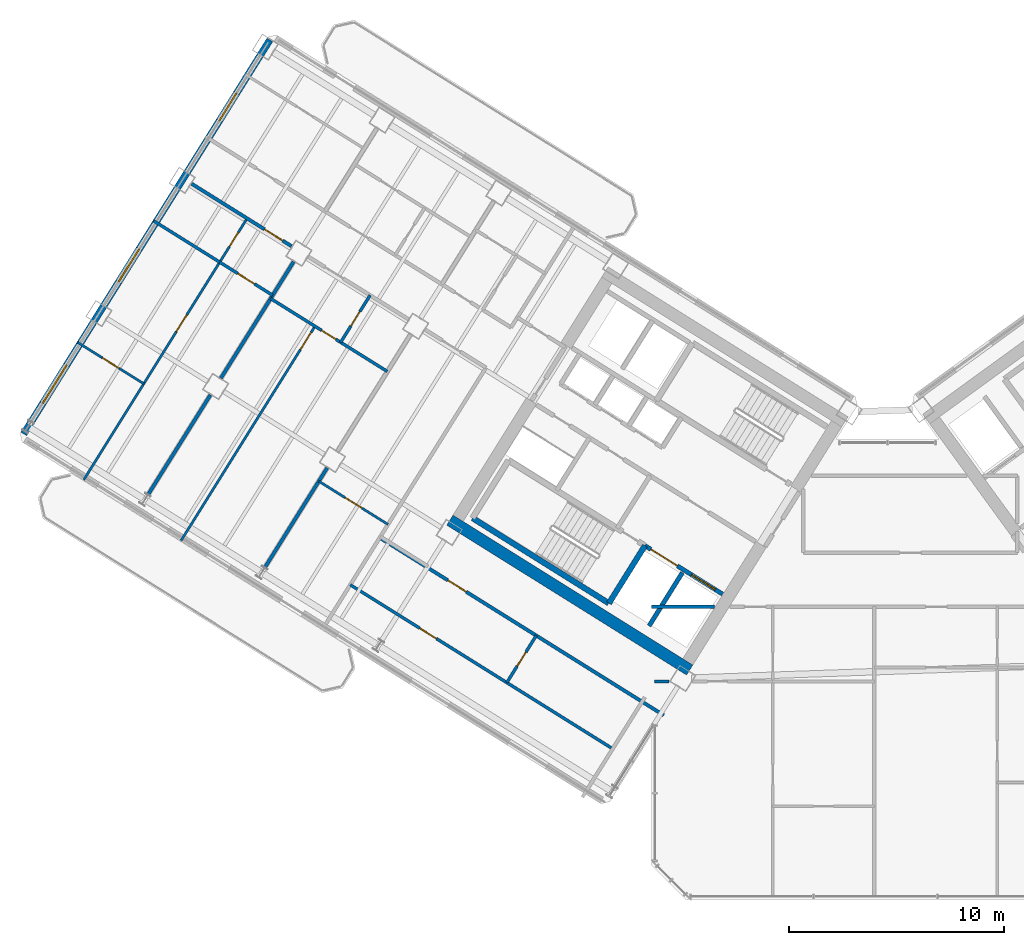
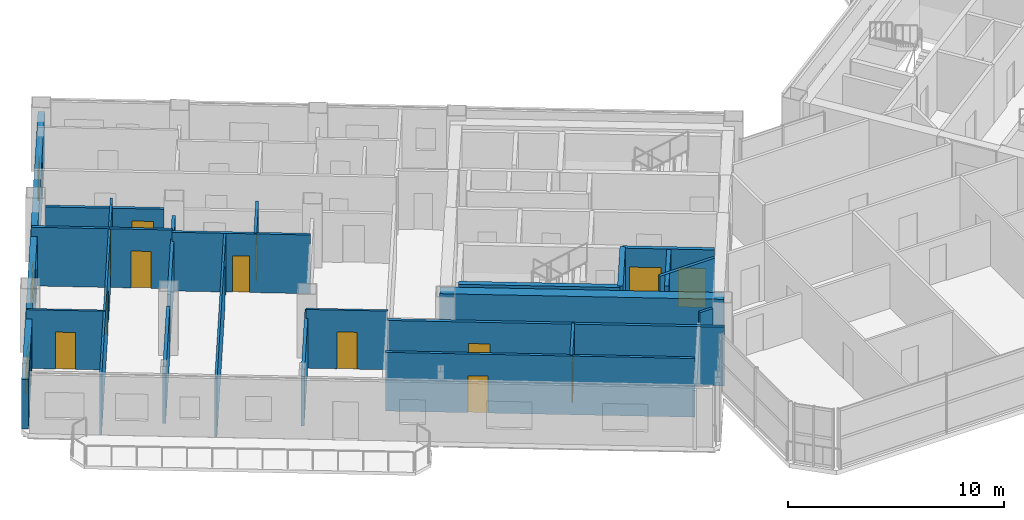
# One storey, part 16 of 29: 23 walls, 14 doors, 3 windows, 17 openings.
"""IFC4 building model written with IfcOpenShell, lengths in metres."""

from ifc_helpers import new_model, si_unit, direction, frame, frame_2d, origin, place, context, subcontext, project, spatial, rectangle, extrude, source, transform, mapped, material, layer, layer_set, type_object, element, fill, save


model = new_model("IFC4")

# Units and contexts
model_context = context("Model", 3, precision=1e-05, world=origin(), true_north=direction((0.0, 1.0)))
body_context = subcontext(model_context, "Body", "Model", "MODEL_VIEW")
ifc_project = project(units=[si_unit("LENGTHUNIT", "METRE"), si_unit("AREAUNIT", "SQUARE_METRE"), si_unit("VOLUMEUNIT", "CUBIC_METRE"), si_unit("PLANEANGLEUNIT", "RADIAN"), si_unit("MASSUNIT", "GRAM", prefix="KILO")], contexts=[model_context])

# Site, building, storey
site_placement = place(None, origin())
site = spatial("IfcSite", under=ifc_project, at=site_placement, CompositionType="ELEMENT")
building_placement = place(site_placement, origin())
building = spatial("IfcBuilding", under=site, at=building_placement, Name="Tlacorven Tower", CompositionType="ELEMENT")
storey_placement = place(building_placement, frame((0.0, 0.0, 165.89990234375)))
storey = spatial("IfcBuildingStorey", under=building, at=storey_placement, Name="L42", CompositionType="ELEMENT", Elevation=165.89990234375)

# Wall
ifc_material_1 = material(Name="Concrete C60/75", Category="concrete")
ifc_layer_1 = layer(ifc_material_1, 0.550048828125)
ifc_layer_set_1 = layer_set([ifc_layer_1], Name="Concrete C60/75")
wall_type_1 = type_object("IfcWallType", Name="WL-COR-550", PredefinedType="SHEAR", material=ifc_layer_set_1)
wall_1_placement = place(storey_placement, frame((33.3662109375, 12.4765625, 0.0), z_axis=(0.0, 0.0, 1.0), x_axis=(-0.848047359947, 0.529920442413, 0.0)))
element("IfcWall", 1, at=wall_1_placement, inside=storey, type_object=wall_type_1, Name="L42 W core shear wall S2", PredefinedType="SHEAR", context=body_context, shape_type="SweptSolid", body=[
    extrude(rectangle(XDim=13.139892578125, YDim=0.550048828125, at=frame_2d((6.56982421875, 0.0))), origin(), (0.0, 0.0, 1.0), 3.320068359375),
])

# Wall, opening, door
ifc_material_2 = material(Name="Gypsum plasterboard acoustic partition", Category="gypsum")
ifc_layer_2 = layer(ifc_material_2, 0.159912109375)
ifc_layer_set_2 = layer_set([ifc_layer_2], Name="Gypsum plasterboard acoustic partition")
wall_type_2 = type_object("IfcWallType", Name="WL-DEM-160", PredefinedType="PARTITIONING", material=ifc_layer_set_2)
wall_2_placement = place(storey_placement, frame((14.86572265625, 32.173095703125, 0.0), z_axis=(0.0, 0.0, 1.0), x_axis=(-0.848053401719, 0.529910773464, 0.0)))
wall_2 = element("IfcWall", 2, at=wall_2_placement, inside=storey, type_object=wall_type_2, Name="L42 Wing W Corridor North Wall", PredefinedType="PARTITIONING", context=body_context, shape_type="SweptSolid", body=[
    extrude(rectangle(XDim=5.47607421875, YDim=0.159912109375, at=frame_2d((2.738037109375, 0.0))), origin(), (0.0, 0.0, 1.0), 2.795166015625),
])
opening_1_placement = place(wall_2_placement, frame((0.488037109375, 0.0, 0.0)))
opening_1 = element("IfcOpeningElement", 3, at=opening_1_placement, cuts=wall_2, Name="Opening D11", PredefinedType="OPENING", context=body_context, shape_type="SweptSolid", body=[
    extrude(rectangle(XDim=1.0, YDim=2.10009765625, at=frame_2d((0.5, 1.050048828125))), frame((0.0, 0.08984375, 0.0), z_axis=(0.0, -1.0, 0.0), x_axis=(1.0, 0.0, 0.0)), (0.0, 0.0, 1.0), 0.179931640625),
])
ifc_material_3 = material(Name="Fire-rated steel door assembly", Category="steel")
door_type_1 = type_object("IfcDoorType", Name="DR-FLT-FD60-1000", OperationType="NOTDEFINED", PredefinedType="DOOR", material=ifc_material_3)
shared_shape_1 = source(origin(), body_context, "Body", "SweptSolid", [
    extrude(rectangle(XDim=1.0, YDim=2.10009765625, at=frame_2d((0.5, 1.050048828125))), frame((0.0, 0.02490234375, 0.0), z_axis=(0.0, -1.0, 0.0), x_axis=(1.0, 0.0, 0.0)), (0.0, 0.0, 1.0), 0.050048828125),
])
door_1_placement = place(opening_1_placement, origin())
door_1 = element("IfcDoor", 4, at=door_1_placement, inside=storey, type_object=door_type_1, Name="L42 door 029", OperationType="SINGLE_SWING_RIGHT", OverallHeight=2.10009765625, OverallWidth=1.0, PredefinedType="DOOR", context=body_context, shape_type="MappedRepresentation", body=[
    mapped(shared_shape_1, transform((0.0, 0.0, 0.0), scale=1.0)),
])
fill(opening_1, door_1)

# Walls
wall_3_placement = place(storey_placement, frame((16.518798828125, 21.86962890625, 0.0), z_axis=(0.0, 0.0, 1.0), x_axis=(-0.529922447305, -0.848046107144, 0.0)))
element("IfcWall", 5, at=wall_3_placement, inside=storey, type_object=wall_type_2, Name="L42 WN Demising Wall 1", PredefinedType="PARTITIONING", context=body_context, shape_type="SweptSolid", body=[
    extrude(rectangle(XDim=5.451171875, YDim=0.159912109375, at=frame_2d((2.7255859375, 0.0))), origin(), (0.0, 0.0, 1.0), 2.795166015625),
])
wall_4_placement = place(storey_placement, frame((14.959716796875, 31.45166015625, 0.0), z_axis=(0.0, 0.0, 1.0), x_axis=(-0.529947310719, -0.848030570122, 0.0)))
element("IfcWall", 6, at=wall_4_placement, inside=storey, type_object=wall_type_2, Name="L42 WN Demising Wall 2", PredefinedType="PARTITIONING", context=body_context, shape_type="SweptSolid", body=[
    extrude(rectangle(XDim=6.3759765625, YDim=0.159912109375, at=frame_2d((3.18798828125, 0.0))), origin(), (0.0, 0.0, 1.0), 2.795166015625),
])
wall_5_placement = place(storey_placement, frame((11.09130859375, 25.260986328125, 0.0), z_axis=(0.0, 0.0, 1.0), x_axis=(-0.52994257524, -0.848033529377, 0.0)))
element("IfcWall", 7, at=wall_5_placement, inside=storey, type_object=wall_type_2, Name="L42 WN Demising Wall 2", PredefinedType="PARTITIONING", context=body_context, shape_type="SweptSolid", body=[
    extrude(rectangle(XDim=5.450927734375, YDim=0.159912109375, at=frame_2d((2.7255859375, 0.0))), origin(), (0.0, 0.0, 1.0), 2.795166015625),
])

# Wall, opening, door
wall_6_placement = place(storey_placement, frame((32.164306640625, 10.373779296875, 0.0), z_axis=(0.0, 0.0, 1.0), x_axis=(-0.848044107957, 0.529925646633, 0.0)))
wall_6 = element("IfcWall", 8, at=wall_6_placement, inside=storey, type_object=wall_type_2, Name="L42 partition 68", PredefinedType="PARTITIONING", context=body_context, shape_type="SweptSolid", body=[
    extrude(rectangle(XDim=15.570068359375, YDim=0.159912109375, at=frame_2d((7.78515625, 0.0))), origin(), (0.0, 0.0, 1.0), 3.31005859375),
])
opening_2_placement = place(wall_6_placement, frame((10.830078125, 0.0, 0.0)))
opening_2 = element("IfcOpeningElement", 9, at=opening_2_placement, cuts=wall_6, Name="Opening D11", PredefinedType="OPENING", context=body_context, shape_type="SweptSolid", body=[
    extrude(rectangle(XDim=1.0, YDim=2.10009765625, at=frame_2d((0.5, 1.050048828125))), frame((0.0, 0.08984375, 0.0), z_axis=(0.0, -1.0, 0.0), x_axis=(1.0, 0.0, 0.0)), (0.0, 0.0, 1.0), 0.179931640625),
])
door_2_placement = place(opening_2_placement, origin())
door_2 = element("IfcDoor", 10, at=door_2_placement, inside=storey, type_object=door_type_1, Name="L42 door 042", OperationType="SINGLE_SWING_LEFT", OverallHeight=2.10009765625, OverallWidth=1.0, PredefinedType="DOOR", context=body_context, shape_type="MappedRepresentation", body=[
    mapped(shared_shape_1, transform((0.0, 0.0, 0.0), scale=1.0)),
])
fill(opening_2, door_2)

# Wall
wall_7_placement = place(storey_placement, frame((31.60009765625, 15.419921875, 0.0), z_axis=(0.0, 0.0, 1.0), x_axis=(1.0, 0.0, 0.0)))
element("IfcWall", 11, at=wall_7_placement, inside=storey, type_object=wall_type_2, Name="L42 Knuckle Corridor South Wall", PredefinedType="PARTITIONING", context=body_context, shape_type="SweptSolid", body=[
    extrude(rectangle(XDim=2.925048828125, YDim=0.159912109375, at=frame_2d((1.46240234375, 0.0))), origin(), (0.0, 0.0, 1.0), 3.31005859375),
])

# Wall, openings, windows
ifc_material_4 = material(Name="Precast concrete C45/55", Category="concrete")
ifc_layer_3 = layer(ifc_material_4, 0.320068359375)
ifc_layer_set_3 = layer_set([ifc_layer_3], Name="Precast concrete C45/55")
wall_type_3 = type_object("IfcWallType", Name="WL-EXT-320", PredefinedType="STANDARD", material=ifc_layer_set_3)
wall_8_placement = place(storey_placement, frame((2.41455078125, 23.452392578125, 0.0), z_axis=(0.0, 0.0, 1.0), x_axis=(0.52991049553, 0.848053575387, 0.0)))
wall_8 = element("IfcWall", 12, at=wall_8_placement, inside=storey, type_object=wall_type_3, Name="L42 Masonry-Frame Recessed Facade Wall 2", PredefinedType="STANDARD", context=body_context, shape_type="SweptSolid", body=[
    extrude(rectangle(XDim=21.58740234375, YDim=0.320068359375, at=frame_2d((10.793701171875, 0.0))), origin(), (0.0, 0.0, 1.0), 2.795166015625),
])
opening_3_placement = place(wall_8_placement, frame((1.673095703125, 0.0, 0.800048828125)))
opening_3 = element("IfcOpeningElement", 13, at=opening_3_placement, cuts=wall_8, Name="Opening WN04", PredefinedType="OPENING", context=body_context, shape_type="SweptSolid", body=[
    extrude(rectangle(XDim=2.10009765625, YDim=1.550048828125, at=frame_2d((1.050048828125, 0.77490234375))), frame((0.0, 0.169921875, 0.0), z_axis=(0.0, -1.0, 0.0), x_axis=(1.0, 0.0, 0.0)), (0.0, 0.0, 1.0), 0.340087890625),
])
opening_4_placement = place(wall_8_placement, frame((8.333740234375, 0.0, 0.85009765625)))
opening_4 = element("IfcOpeningElement", 14, at=opening_4_placement, cuts=wall_8, Name="Opening WN01", PredefinedType="OPENING", context=body_context, shape_type="SweptSolid", body=[
    extrude(rectangle(XDim=1.800048828125, YDim=1.5, at=frame_2d((0.89990234375, 0.75))), frame((0.0, 0.169921875, 0.0), z_axis=(0.0, -1.0, 0.0), x_axis=(1.0, 0.0, 0.0)), (0.0, 0.0, 1.0), 0.340087890625),
])
opening_5_placement = place(wall_8_placement, frame((17.172119140625, 0.0, 0.85009765625)))
opening_5 = element("IfcOpeningElement", 15, at=opening_5_placement, cuts=wall_8, Name="Opening WN02", PredefinedType="OPENING", context=body_context, shape_type="SweptSolid", body=[
    extrude(rectangle(XDim=1.5, YDim=1.5, at=frame_2d((0.75, 0.75))), frame((0.0, 0.169921875, 0.0), z_axis=(0.0, -1.0, 0.0), x_axis=(1.0, 0.0, 0.0)), (0.0, 0.0, 1.0), 0.340087890625),
])
ifc_material_5 = material(Name="Dark solar low-E double glazing in anodised aluminium frame", Category="aluminium")
window_type_1 = type_object("IfcWindowType", Name="WN-APT-2100X1750", PartitioningType="SINGLE_PANEL", PredefinedType="WINDOW", material=ifc_material_5)
shared_shape_2 = source(origin(), body_context, "Body", "SweptSolid", [
    extrude(rectangle(XDim=2.10009765625, YDim=1.550048828125, at=frame_2d((1.050048828125, 0.77490234375))), frame((0.0, 0.030029296875, 0.0), z_axis=(0.0, -1.0, 0.0), x_axis=(1.0, 0.0, 0.0)), (0.0, 0.0, 1.0), 0.06005859375),
])
window_1_placement = place(opening_3_placement, origin())
window_1 = element("IfcWindow", 16, at=window_1_placement, inside=storey, type_object=window_type_1, Name="L42 Recessed Masonry-Frame Window L42-02.1", OverallHeight=1.550048828125, OverallWidth=2.10009765625, PartitioningType="SINGLE_PANEL", PredefinedType="WINDOW", context=body_context, shape_type="MappedRepresentation", body=[
    mapped(shared_shape_2, transform((0.0, 0.0, 0.0), scale=1.0)),
])
fill(opening_3, window_1)
window_type_2 = type_object("IfcWindowType", Name="WN-APT-1800X1650", PartitioningType="SINGLE_PANEL", PredefinedType="WINDOW", material=ifc_material_5)
shared_shape_3 = source(origin(), body_context, "Body", "SweptSolid", [
    extrude(rectangle(XDim=1.800048828125, YDim=1.5, at=frame_2d((0.89990234375, 0.75))), frame((0.0, 0.030029296875, 0.0), z_axis=(0.0, -1.0, 0.0), x_axis=(1.0, 0.0, 0.0)), (0.0, 0.0, 1.0), 0.06005859375),
])
window_2_placement = place(opening_4_placement, origin())
window_2 = element("IfcWindow", 17, at=window_2_placement, inside=storey, type_object=window_type_2, Name="L42 Recessed Masonry-Frame Window L42-02.2", OverallHeight=1.5, OverallWidth=1.800048828125, PartitioningType="SINGLE_PANEL", PredefinedType="WINDOW", context=body_context, shape_type="MappedRepresentation", body=[
    mapped(shared_shape_3, transform((0.0, 0.0, 0.0), scale=1.0)),
])
fill(opening_4, window_2)
window_type_3 = type_object("IfcWindowType", Name="WN-APT-1500X1650", PartitioningType="SINGLE_PANEL", PredefinedType="WINDOW", material=ifc_material_5)
shared_shape_4 = source(origin(), body_context, "Body", "SweptSolid", [
    extrude(rectangle(XDim=1.5, YDim=1.5, at=frame_2d((0.75, 0.75))), frame((0.0, 0.030029296875, 0.0), z_axis=(0.0, -1.0, 0.0), x_axis=(1.0, 0.0, 0.0)), (0.0, 0.0, 1.0), 0.06005859375),
])
window_3_placement = place(opening_5_placement, origin())
window_3 = element("IfcWindow", 18, at=window_3_placement, inside=storey, type_object=window_type_3, Name="L42 Recessed Masonry-Frame Window L42-02.3", OverallHeight=1.5, OverallWidth=1.5, PartitioningType="SINGLE_PANEL", PredefinedType="WINDOW", context=body_context, shape_type="MappedRepresentation", body=[
    mapped(shared_shape_4, transform((0.0, 0.0, 0.0), scale=1.0)),
])
fill(opening_5, window_3)

# Wall, opening, door
ifc_material_6 = material(Name="Gypsum plasterboard partition", Category="gypsum")
ifc_layer_4 = layer(ifc_material_6, 0.110107421875)
ifc_layer_set_4 = layer_set([ifc_layer_4], Name="Gypsum plasterboard partition")
wall_type_4 = type_object("IfcWallType", Name="WL-INT-110", PredefinedType="PARTITIONING", material=ifc_layer_set_4)
wall_9_placement = place(storey_placement, frame((19.345947265625, 19.2421875, 0.0), z_axis=(0.0, 0.0, 1.0), x_axis=(-0.848059820872, 0.529900500304, 0.0)))
wall_9 = element("IfcWall", 19, at=wall_9_placement, inside=storey, type_object=wall_type_4, Name="L42 partition 51", PredefinedType="PARTITIONING", context=body_context, shape_type="SweptSolid", body=[
    extrude(rectangle(XDim=3.7900390625, YDim=0.110107421875, at=frame_2d((1.89501953125, 0.0))), origin(), (0.0, 0.0, 1.0), 3.31005859375),
])
opening_6_placement = place(wall_9_placement, frame((1.43505859375, 0.0, 0.0)))
opening_6 = element("IfcOpeningElement", 20, at=opening_6_placement, cuts=wall_9, Name="Opening D12", PredefinedType="OPENING", context=body_context, shape_type="SweptSolid", body=[
    extrude(rectangle(XDim=0.919921875, YDim=2.080078125, at=frame_2d((0.4599609375, 1.0400390625))), frame((0.0, 0.06494140625, 0.0), z_axis=(0.0, -1.0, 0.0), x_axis=(1.0, 0.0, 0.0)), (0.0, 0.0, 1.0), 0.130126953125),
])
ifc_material_7 = material(Name="Powder-coated aluminium and timber door", Category="wood")
door_type_2 = type_object("IfcDoorType", Name="DR-INT-ROOM-0920", OperationType="NOTDEFINED", PredefinedType="DOOR", material=ifc_material_7)
shared_shape_5 = source(origin(), body_context, "Body", "SweptSolid", [
    extrude(rectangle(XDim=0.919921875, YDim=2.080078125, at=frame_2d((0.4599609375, 1.0400390625))), frame((0.0, 0.02490234375, 0.0), z_axis=(0.0, -1.0, 0.0), x_axis=(1.0, 0.0, 0.0)), (0.0, 0.0, 1.0), 0.050048828125),
])
door_3_placement = place(opening_6_placement, origin())
door_3 = element("IfcDoor", 21, at=door_3_placement, inside=storey, type_object=door_type_2, Name="L42 door 023", OperationType="SINGLE_SWING_RIGHT", OverallHeight=2.080078125, OverallWidth=0.919921875, PredefinedType="DOOR", context=body_context, shape_type="MappedRepresentation", body=[
    mapped(shared_shape_5, transform((0.0, 0.0, 0.0), scale=1.0)),
])
fill(opening_6, door_3)

wall_10_placement = place(storey_placement, frame((15.952880859375, 28.45166015625, 0.0), z_axis=(0.0, 0.0, 1.0), x_axis=(-0.529931645041, -0.848040359643, 0.0)))
wall_10 = element("IfcWall", 22, at=wall_10_placement, inside=storey, type_object=wall_type_4, Name="L42 partition 55", PredefinedType="PARTITIONING", context=body_context, shape_type="SweptSolid", body=[
    extrude(rectangle(XDim=11.739990234375, YDim=0.110107421875, at=frame_2d((5.8701171875, 0.0))), origin(), (0.0, 0.0, 1.0), 3.31005859375),
])
opening_7_placement = place(wall_10_placement, frame((0.35009765625, 0.0, 0.0)))
opening_7 = element("IfcOpeningElement", 23, at=opening_7_placement, cuts=wall_10, Name="Opening D12", PredefinedType="OPENING", context=body_context, shape_type="SweptSolid", body=[
    extrude(rectangle(XDim=0.919921875, YDim=2.080078125, at=frame_2d((0.4599609375, 1.0400390625))), frame((0.0, 0.06494140625, 0.0), z_axis=(0.0, -1.0, 0.0), x_axis=(1.0, 0.0, 0.0)), (0.0, 0.0, 1.0), 0.130126953125),
])
door_4_placement = place(opening_7_placement, origin())
door_4 = element("IfcDoor", 24, at=door_4_placement, inside=storey, type_object=door_type_2, Name="L42 door 024", OperationType="SINGLE_SWING_LEFT", OverallHeight=2.080078125, OverallWidth=0.919921875, PredefinedType="DOOR", context=body_context, shape_type="MappedRepresentation", body=[
    mapped(shared_shape_5, transform((0.0, 0.0, 0.0), scale=1.0)),
])
fill(opening_7, door_4)

# Wall, openings, doors
wall_11_placement = place(storey_placement, frame((12.798095703125, 33.465087890625, 0.0), z_axis=(0.0, 0.0, 1.0), x_axis=(-0.529916182913, -0.848050021571, 0.0)))
wall_11 = element("IfcWall", 25, at=wall_11_placement, inside=storey, type_object=wall_type_4, Name="L42 partition 56", PredefinedType="PARTITIONING", context=body_context, shape_type="SweptSolid", body=[
    extrude(rectangle(XDim=14.320068359375, YDim=0.110107421875, at=frame_2d((7.16015625, 0.0))), origin(), (0.0, 0.0, 1.0), 3.31005859375),
])
opening_8_placement = place(wall_11_placement, frame((0.760009765625, 0.0, 0.0)))
opening_8 = element("IfcOpeningElement", 26, at=opening_8_placement, cuts=wall_11, Name="Opening D22", PredefinedType="OPENING", context=body_context, shape_type="SweptSolid", body=[
    extrude(rectangle(XDim=0.780029296875, YDim=2.050048828125, at=frame_2d((0.39013671875, 1.02490234375))), frame((0.0, 0.06494140625, 0.0), z_axis=(0.0, -1.0, 0.0), x_axis=(1.0, 0.0, 0.0)), (0.0, 0.0, 1.0), 0.130126953125),
])
opening_9_placement = place(wall_11_placement, frame((5.280517578125, 0.0, 0.0)))
opening_9 = element("IfcOpeningElement", 27, at=opening_9_placement, cuts=wall_11, Name="Opening D12", PredefinedType="OPENING", context=body_context, shape_type="SweptSolid", body=[
    extrude(rectangle(XDim=0.919921875, YDim=2.080078125, at=frame_2d((0.4599609375, 1.0400390625))), frame((0.0, 0.06494140625, 0.0), z_axis=(0.0, -1.0, 0.0), x_axis=(1.0, 0.0, 0.0)), (0.0, 0.0, 1.0), 0.130126953125),
])
door_type_3 = type_object("IfcDoorType", Name="DR-INT-WET-0780", OperationType="NOTDEFINED", PredefinedType="DOOR", material=ifc_material_7)
shared_shape_6 = source(origin(), body_context, "Body", "SweptSolid", [
    extrude(rectangle(XDim=0.780029296875, YDim=2.050048828125, at=frame_2d((0.39013671875, 1.02490234375))), frame((0.0, 0.02490234375, 0.0), z_axis=(0.0, -1.0, 0.0), x_axis=(1.0, 0.0, 0.0)), (0.0, 0.0, 1.0), 0.050048828125),
])
door_5_placement = place(opening_8_placement, origin())
door_5 = element("IfcDoor", 28, at=door_5_placement, inside=storey, type_object=door_type_3, Name="L42 door 031", OperationType="SINGLE_SWING_RIGHT", OverallHeight=2.050048828125, OverallWidth=0.780029296875, PredefinedType="DOOR", context=body_context, shape_type="MappedRepresentation", body=[
    mapped(shared_shape_6, transform((0.0, 0.0, 0.0), scale=1.0)),
])
fill(opening_8, door_5)
door_6_placement = place(opening_9_placement, origin())
door_6 = element("IfcDoor", 29, at=door_6_placement, inside=storey, type_object=door_type_2, Name="L42 door 032", OperationType="SINGLE_SWING_LEFT", OverallHeight=2.080078125, OverallWidth=0.919921875, PredefinedType="DOOR", context=body_context, shape_type="MappedRepresentation", body=[
    mapped(shared_shape_5, transform((0.0, 0.0, 0.0), scale=1.0)),
])
fill(opening_9, door_6)

# Wall, opening, door
wall_12_placement = place(storey_placement, frame((7.99658203125, 25.781005859375, 0.0), z_axis=(0.0, 0.0, 1.0), x_axis=(-0.848051346257, 0.52991406295, 0.0)))
wall_12 = element("IfcWall", 30, at=wall_12_placement, inside=storey, type_object=wall_type_4, Name="L42 partition 60", PredefinedType="PARTITIONING", context=body_context, shape_type="SweptSolid", body=[
    extrude(rectangle(XDim=3.619873046875, YDim=0.110107421875, at=frame_2d((1.81005859375, 0.0))), origin(), (0.0, 0.0, 1.0), 3.31005859375),
])
opening_10_placement = place(wall_12_placement, frame((1.35009765625, 0.0, 0.0)))
opening_10 = element("IfcOpeningElement", 31, at=opening_10_placement, cuts=wall_12, Name="Opening D12", PredefinedType="OPENING", context=body_context, shape_type="SweptSolid", body=[
    extrude(rectangle(XDim=0.919921875, YDim=2.080078125, at=frame_2d((0.4599609375, 1.0400390625))), frame((0.0, 0.06494140625, 0.0), z_axis=(0.0, -1.0, 0.0), x_axis=(1.0, 0.0, 0.0)), (0.0, 0.0, 1.0), 0.130126953125),
])
door_7_placement = place(opening_10_placement, origin())
door_7 = element("IfcDoor", 32, at=door_7_placement, inside=storey, type_object=door_type_2, Name="L42 door 033", OperationType="SINGLE_SWING_RIGHT", OverallHeight=2.080078125, OverallWidth=0.919921875, PredefinedType="DOOR", context=body_context, shape_type="MappedRepresentation", body=[
    mapped(shared_shape_5, transform((0.0, 0.0, 0.0), scale=1.0)),
])
fill(opening_10, door_7)

ifc_material_8 = material(Name="Moisture-resistant gypsum plumbing wall", Category="gypsum")
ifc_layer_5 = layer(ifc_material_8, 0.139892578125)
ifc_layer_set_5 = layer_set([ifc_layer_5], Name="Moisture-resistant gypsum plumbing wall")
wall_type_5 = type_object("IfcWallType", Name="WL-PLM-140", PredefinedType="PLUMBINGWALL", material=ifc_layer_set_5)
wall_13_placement = place(storey_placement, frame((19.31787109375, 26.348876953125, 0.0), z_axis=(0.0, 0.0, 1.0), x_axis=(-0.848039019877, 0.529933789039, 0.0)))
wall_13 = element("IfcWall", 33, at=wall_13_placement, inside=storey, type_object=wall_type_5, Name="L42 partition 53", PredefinedType="PLUMBINGWALL", context=body_context, shape_type="SweptSolid", body=[
    extrude(rectangle(XDim=6.400146484375, YDim=0.139892578125, at=frame_2d((3.2001953125, 0.0))), origin(), (0.0, 0.0, 1.0), 3.31005859375),
])
opening_11_placement = place(wall_13_placement, frame((2.823974609375, 0.0, 0.0)))
opening_11 = element("IfcOpeningElement", 34, at=opening_11_placement, cuts=wall_13, Name="Opening D22", PredefinedType="OPENING", context=body_context, shape_type="SweptSolid", body=[
    extrude(rectangle(XDim=0.780029296875, YDim=2.050048828125, at=frame_2d((0.39013671875, 1.02490234375))), frame((0.0, 0.080078125, 0.0), z_axis=(0.0, -1.0, 0.0), x_axis=(1.0, 0.0, 0.0)), (0.0, 0.0, 1.0), 0.159912109375),
])
door_8_placement = place(opening_11_placement, origin())
door_8 = element("IfcDoor", 35, at=door_8_placement, inside=storey, type_object=door_type_3, Name="L42 door 026", OperationType="SINGLE_SWING_LEFT", OverallHeight=2.050048828125, OverallWidth=0.780029296875, PredefinedType="DOOR", context=body_context, shape_type="MappedRepresentation", body=[
    mapped(shared_shape_6, transform((0.0, 0.0, 0.0), scale=1.0)),
])
fill(opening_11, door_8)

wall_14_placement = place(storey_placement, frame((18.513916015625, 29.8935546875, 0.0), z_axis=(0.0, 0.0, 1.0), x_axis=(-0.529913878929, -0.848051461244, 0.0)))
wall_14 = element("IfcWall", 36, at=wall_14_placement, inside=storey, type_object=wall_type_5, Name="L42 partition 54", PredefinedType="PLUMBINGWALL", context=body_context, shape_type="SweptSolid", body=[
    extrude(rectangle(XDim=2.580078125, YDim=0.139892578125, at=frame_2d((1.2900390625, 0.0))), origin(), (0.0, 0.0, 1.0), 3.31005859375),
])
opening_12_placement = place(wall_14_placement, frame((0.89990234375, 0.0, 0.0)))
opening_12 = element("IfcOpeningElement", 37, at=opening_12_placement, cuts=wall_14, Name="Opening D22", PredefinedType="OPENING", context=body_context, shape_type="SweptSolid", body=[
    extrude(rectangle(XDim=0.780029296875, YDim=2.050048828125, at=frame_2d((0.39013671875, 1.02490234375))), frame((0.0, 0.080078125, 0.0), z_axis=(0.0, -1.0, 0.0), x_axis=(1.0, 0.0, 0.0)), (0.0, 0.0, 1.0), 0.159912109375),
])
door_9_placement = place(opening_12_placement, origin())
door_9 = element("IfcDoor", 38, at=door_9_placement, inside=storey, type_object=door_type_3, Name="L42 door 027", OperationType="SINGLE_SWING_RIGHT", OverallHeight=2.050048828125, OverallWidth=0.780029296875, PredefinedType="DOOR", context=body_context, shape_type="MappedRepresentation", body=[
    mapped(shared_shape_6, transform((0.0, 0.0, 0.0), scale=1.0)),
])
fill(opening_12, door_9)

wall_15_placement = place(storey_placement, frame((13.985595703125, 29.89306640625, 0.0), z_axis=(0.0, 0.0, 1.0), x_axis=(-0.84802195137, 0.529961102341, 0.0)))
wall_15 = element("IfcWall", 39, at=wall_15_placement, inside=storey, type_object=wall_type_5, Name="L42 partition 58", PredefinedType="PLUMBINGWALL", context=body_context, shape_type="SweptSolid", body=[
    extrude(rectangle(XDim=2.89990234375, YDim=0.139892578125, at=frame_2d((1.449951171875, 0.0))), origin(), (0.0, 0.0, 1.0), 3.31005859375),
])
opening_13_placement = place(wall_15_placement, frame((0.989990234375, 0.0, 0.0)))
opening_13 = element("IfcOpeningElement", 40, at=opening_13_placement, cuts=wall_15, Name="Opening D12", PredefinedType="OPENING", context=body_context, shape_type="SweptSolid", body=[
    extrude(rectangle(XDim=0.919921875, YDim=2.080078125, at=frame_2d((0.4599609375, 1.0400390625))), frame((0.0, 0.080078125, 0.0), z_axis=(0.0, -1.0, 0.0), x_axis=(1.0, 0.0, 0.0)), (0.0, 0.0, 1.0), 0.159912109375),
])
door_10_placement = place(opening_13_placement, origin())
door_10 = element("IfcDoor", 41, at=door_10_placement, inside=storey, type_object=door_type_2, Name="L42 door 030", OperationType="SINGLE_SWING_LEFT", OverallHeight=2.080078125, OverallWidth=0.919921875, PredefinedType="DOOR", context=body_context, shape_type="MappedRepresentation", body=[
    mapped(shared_shape_5, transform((0.0, 0.0, 0.0), scale=1.0)),
])
fill(opening_13, door_10)

# Wall
wall_16_placement = place(storey_placement, frame((11.5263671875, 31.429931640625, 0.0), z_axis=(0.0, 0.0, 1.0), x_axis=(-0.848051346257, 0.52991406295, 0.0)))
element("IfcWall", 42, at=wall_16_placement, inside=storey, type_object=wall_type_5, Name="L42 partition 59", PredefinedType="PLUMBINGWALL", context=body_context, shape_type="SweptSolid", body=[
    extrude(rectangle(XDim=3.619873046875, YDim=0.139892578125, at=frame_2d((1.81005859375, 0.0))), origin(), (0.0, 0.0, 1.0), 3.31005859375),
])

# Wall, opening, door
wall_17_placement = place(storey_placement, frame((29.72021484375, 8.85888671875, 0.0), z_axis=(0.0, 0.0, 1.0), x_axis=(-0.848049134363, 0.529917602752, 0.0)))
wall_17 = element("IfcWall", 43, at=wall_17_placement, inside=storey, type_object=wall_type_5, Name="L42 partition 70", PredefinedType="PLUMBINGWALL", context=body_context, shape_type="SweptSolid", body=[
    extrude(rectangle(XDim=14.300048828125, YDim=0.139892578125, at=frame_2d((7.14990234375, 0.0))), origin(), (0.0, 0.0, 1.0), 3.31005859375),
])
opening_14_placement = place(wall_17_placement, frame((9.570068359375, 0.0, 0.0)))
opening_14 = element("IfcOpeningElement", 44, at=opening_14_placement, cuts=wall_17, Name="Opening D12", PredefinedType="OPENING", context=body_context, shape_type="SweptSolid", body=[
    extrude(rectangle(XDim=0.919921875, YDim=2.080078125, at=frame_2d((0.4599609375, 1.0400390625))), frame((0.0, 0.080078125, 0.0), z_axis=(0.0, -1.0, 0.0), x_axis=(1.0, 0.0, 0.0)), (0.0, 0.0, 1.0), 0.159912109375),
])
door_11_placement = place(opening_14_placement, origin())
door_11 = element("IfcDoor", 45, at=door_11_placement, inside=storey, type_object=door_type_2, Name="L42 door 043", OperationType="SINGLE_SWING_RIGHT", OverallHeight=2.080078125, OverallWidth=0.919921875, PredefinedType="DOOR", context=body_context, shape_type="MappedRepresentation", body=[
    mapped(shared_shape_5, transform((0.0, 0.0, 0.0), scale=1.0)),
])
fill(opening_14, door_11)

wall_18_placement = place(storey_placement, frame((26.236572265625, 14.077880859375, 0.0), z_axis=(0.0, 0.0, 1.0), x_axis=(-0.52995640672, -0.848024885824, 0.0)))
wall_18 = element("IfcWall", 46, at=wall_18_placement, inside=storey, type_object=wall_type_5, Name="L42 partition 71", PredefinedType="PLUMBINGWALL", context=body_context, shape_type="SweptSolid", body=[
    extrude(rectangle(XDim=2.579833984375, YDim=0.139892578125, at=frame_2d((1.2900390625, 0.0))), origin(), (0.0, 0.0, 1.0), 3.31005859375),
])
opening_15_placement = place(wall_18_placement, frame((0.89990234375, 0.0, 0.0)))
opening_15 = element("IfcOpeningElement", 47, at=opening_15_placement, cuts=wall_18, Name="Opening D22", PredefinedType="OPENING", context=body_context, shape_type="SweptSolid", body=[
    extrude(rectangle(XDim=0.780029296875, YDim=2.050048828125, at=frame_2d((0.39013671875, 1.02490234375))), frame((0.0, 0.080078125, 0.0), z_axis=(0.0, -1.0, 0.0), x_axis=(1.0, 0.0, 0.0)), (0.0, 0.0, 1.0), 0.159912109375),
])
door_12_placement = place(opening_15_placement, origin())
door_12 = element("IfcDoor", 48, at=door_12_placement, inside=storey, type_object=door_type_3, Name="L42 door 044", OperationType="SINGLE_SWING_LEFT", OverallHeight=2.050048828125, OverallWidth=0.780029296875, PredefinedType="DOOR", context=body_context, shape_type="MappedRepresentation", body=[
    mapped(shared_shape_6, transform((0.0, 0.0, 0.0), scale=1.0)),
])
fill(opening_15, door_12)

# Wall
wall_19_placement = place(storey_placement, frame((31.739990234375, 11.949951171875, 0.0), z_axis=(0.0, 0.0, 1.0), x_axis=(1.0, 0.0, 0.0)))
element("IfcWall", 49, at=wall_19_placement, inside=storey, type_object=wall_type_5, Name="L42 partition 81", PredefinedType="PLUMBINGWALL", context=body_context, shape_type="SweptSolid", body=[
    extrude(rectangle(XDim=0.67578125, YDim=0.139892578125, at=frame_2d((0.337890625, 0.0))), origin(), (0.0, 0.0, 1.0), 3.31005859375),
])

# Wall, openings, doors
ifc_material_9 = material(Name="Concrete C40/50", Category="concrete")
ifc_layer_6 = layer(ifc_material_9, 0.199951171875)
ifc_layer_set_6 = layer_set([ifc_layer_6], Name="Concrete C40/50")
wall_type_6 = type_object("IfcWallType", Name="WL-SHF-200", PredefinedType="STANDARD", material=ifc_layer_set_6)
wall_20_placement = place(storey_placement, frame((34.890625, 16.0048828125, 0.0), z_axis=(0.0, 0.0, 1.0), x_axis=(-0.848062873452, 0.529895614884, 0.0)))
wall_20 = element("IfcWall", 50, at=wall_20_placement, inside=storey, type_object=wall_type_6, Name="L42 Core W Firefighting Lift Shaft Front Wall", PredefinedType="STANDARD", context=body_context, shape_type="SweptSolid", body=[
    extrude(rectangle(XDim=4.248046875, YDim=0.199951171875, at=frame_2d((2.1240234375, 0.0))), origin(), (0.0, 0.0, 1.0), 3.31005859375),
])
opening_16_placement = place(wall_20_placement, frame((0.39794921875, 0.0, 0.0)))
opening_16 = element("IfcOpeningElement", 51, at=opening_16_placement, cuts=wall_20, Name="Opening LD03", PredefinedType="OPENING", context=body_context, shape_type="SweptSolid", body=[
    extrude(rectangle(XDim=1.300048828125, YDim=2.199951171875, at=frame_2d((0.64990234375, 1.10009765625))), frame((0.0, 0.10986328125, 0.0), z_axis=(0.0, -1.0, 0.0), x_axis=(1.0, 0.0, 0.0)), (0.0, 0.0, 1.0), 0.219970703125),
])
opening_17_placement = place(wall_20_placement, frame((2.472900390625, 0.0, 0.0)))
opening_17 = element("IfcOpeningElement", 52, at=opening_17_placement, cuts=wall_20, Name="Opening LD04", PredefinedType="OPENING", context=body_context, shape_type="SweptSolid", body=[
    extrude(rectangle(XDim=1.449951171875, YDim=2.25, at=frame_2d((0.72509765625, 1.125))), frame((0.0, 0.10986328125, 0.0), z_axis=(0.0, -1.0, 0.0), x_axis=(1.0, 0.0, 0.0)), (0.0, 0.0, 1.0), 0.219970703125),
])
door_type_4 = type_object("IfcDoorType", Name="DR-LFT-SLID-1300", OperationType="DOUBLE_DOOR_SLIDING", PredefinedType="DOOR", material=ifc_material_3)
shared_shape_7 = source(origin(), body_context, "Body", "SweptSolid", [
    extrude(rectangle(XDim=1.300048828125, YDim=2.199951171875, at=frame_2d((0.64990234375, 1.10009765625))), frame((0.0, 0.02490234375, 0.0), z_axis=(0.0, -1.0, 0.0), x_axis=(1.0, 0.0, 0.0)), (0.0, 0.0, 1.0), 0.050048828125),
])
door_13_placement = place(opening_16_placement, origin())
door_13 = element("IfcDoor", 53, at=door_13_placement, inside=storey, type_object=door_type_4, Name="L42 Lift FFL-W1 Sliding Landing Door", OperationType="DOUBLE_DOOR_SLIDING", OverallHeight=2.199951171875, OverallWidth=1.300048828125, PredefinedType="DOOR", context=body_context, shape_type="MappedRepresentation", body=[
    mapped(shared_shape_7, transform((0.0, 0.0, 0.0), scale=1.0)),
])
fill(opening_16, door_13)
door_type_5 = type_object("IfcDoorType", Name="DR-LFT-SLID-1450", OperationType="DOUBLE_DOOR_SLIDING", PredefinedType="DOOR", material=ifc_material_3)
shared_shape_8 = source(origin(), body_context, "Body", "SweptSolid", [
    extrude(rectangle(XDim=1.449951171875, YDim=2.25, at=frame_2d((0.72509765625, 1.125))), frame((0.0, 0.02490234375, 0.0), z_axis=(0.0, -1.0, 0.0), x_axis=(1.0, 0.0, 0.0)), (0.0, 0.0, 1.0), 0.050048828125),
])
door_14_placement = place(opening_17_placement, origin())
door_14 = element("IfcDoor", 54, at=door_14_placement, inside=storey, type_object=door_type_5, Name="L42 Lift SVL-W1 Sliding Landing Door", OperationType="DOUBLE_DOOR_SLIDING", OverallHeight=2.25, OverallWidth=1.449951171875, PredefinedType="DOOR", context=body_context, shape_type="MappedRepresentation", body=[
    mapped(shared_shape_8, transform((0.0, 0.0, 0.0), scale=1.0)),
])
fill(opening_17, door_14)

# Walls
wall_21_placement = place(storey_placement, frame((33.02880859375, 17.003173828125, 0.0), z_axis=(0.0, 0.0, 1.0), x_axis=(-0.529916267533, -0.848049968695, 0.0)))
element("IfcWall", 55, at=wall_21_placement, inside=storey, type_object=wall_type_6, Name="L42 partition 14", PredefinedType="STANDARD", context=body_context, shape_type="SweptSolid", body=[
    extrude(rectangle(XDim=2.919921875, YDim=0.199951171875, at=frame_2d((1.4599609375, 0.0))), origin(), (0.0, 0.0, 1.0), 3.31005859375),
])
ifc_material_10 = material(Name="Concrete C50/60", Category="concrete")
ifc_layer_7 = layer(ifc_material_10, 0.260009765625)
ifc_layer_set_7 = layer_set([ifc_layer_7], Name="Concrete C50/60")
wall_type_7 = type_object("IfcWallType", Name="WL-STW-260", PredefinedType="SHEAR", material=ifc_layer_set_7)
wall_22_placement = place(storey_placement, frame((29.60498046875, 15.581298828125, 0.0), z_axis=(0.0, 0.0, 1.0), x_axis=(-0.848036911448, 0.529937163087, 0.0)))
element("IfcWall", 56, at=wall_22_placement, inside=storey, type_object=wall_type_7, Name="L42 Stair W1 Far Shear Wall", PredefinedType="SHEAR", context=body_context, shape_type="SweptSolid", body=[
    extrude(rectangle(XDim=7.4599609375, YDim=0.260009765625, at=frame_2d((3.72998046875, 0.0))), origin(), (0.0, 0.0, 1.0), 3.320068359375),
])
wall_23_placement = place(storey_placement, frame((31.2880859375, 18.255859375, 0.0), z_axis=(0.0, 0.0, 1.0), x_axis=(-0.529943379326, -0.848033026897, 0.0)))
element("IfcWall", 57, at=wall_23_placement, inside=storey, type_object=wall_type_7, Name="L42 Stair W1 West Shear Wall", PredefinedType="SHEAR", context=body_context, shape_type="SweptSolid", body=[
    extrude(rectangle(XDim=3.159912109375, YDim=0.260009765625, at=frame_2d((1.580078125, 0.0))), origin(), (0.0, 0.0, 1.0), 3.320068359375),
])

save(model, "model.ifc")
